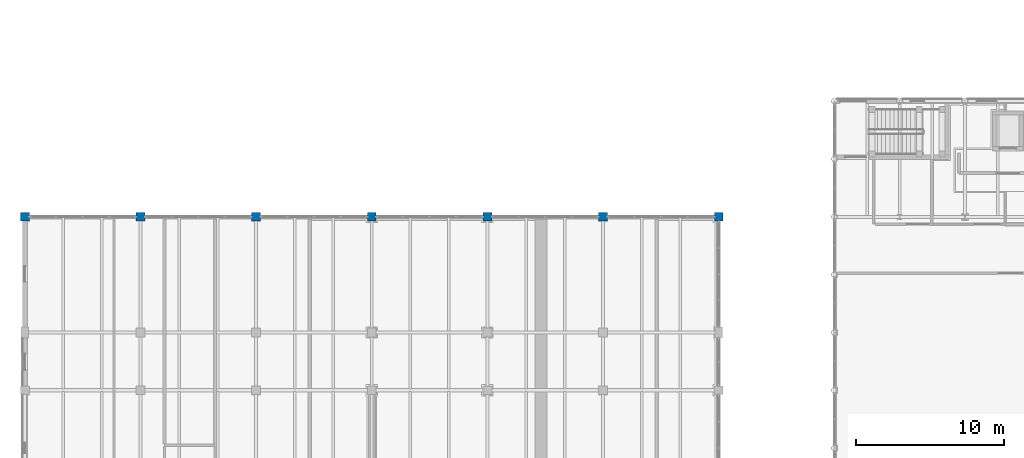
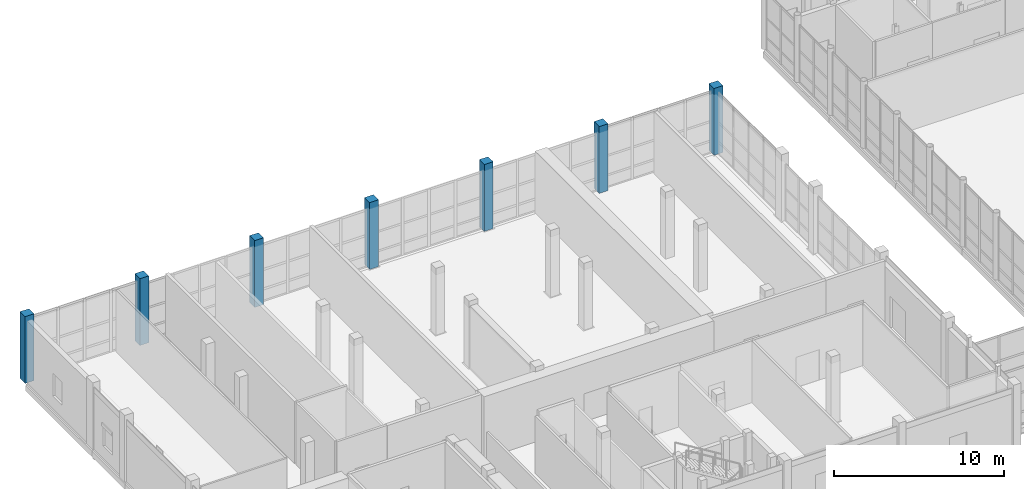
# One storey, part 11 of 131: 7 columns.
"""IFC4 building model written with IfcOpenShell, lengths in metres."""

from ifc_helpers import new_model, si_unit, direction, frame, origin, origin_2d, place, context, subcontext, project, spatial, rectangle, extrude, material, material_profile, profile_set, type_object, element, save


model = new_model("IFC4")

# Units and contexts
model_context = context("Model", 3, precision=1e-05, world=origin(), true_north=direction((0.0, 1.0)))
body_context = subcontext(model_context, "Body", "Model", "MODEL_VIEW")
ifc_project = project(units=[si_unit("LENGTHUNIT", "METRE"), si_unit("AREAUNIT", "SQUARE_METRE"), si_unit("VOLUMEUNIT", "CUBIC_METRE"), si_unit("PLANEANGLEUNIT", "RADIAN"), si_unit("MASSUNIT", "GRAM", prefix="KILO")], contexts=[model_context])

# Site, building, storey
site_placement = place(None, origin())
site = spatial("IfcSite", under=ifc_project, at=site_placement, CompositionType="ELEMENT")
building_placement = place(site_placement, origin())
building = spatial("IfcBuilding", under=site, at=building_placement, Name="Celorna Specialist Clinic", CompositionType="ELEMENT")
storey_placement = place(building_placement, origin())
storey = spatial("IfcBuildingStorey", under=building, at=storey_placement, Name="L00", CompositionType="ELEMENT", Elevation=0.0)

# Columns
ifc_material = material(Name="Concrete C40/50", Category="concrete")
ifc_material_profile = material_profile(ifc_material, rectangle(XDim=0.60009765625, YDim=0.60009765625, at=origin_2d()), Name="RC 600x600")
ifc_profile_set = profile_set([ifc_material_profile], Name="Concrete C40/50")
column_type = type_object("IfcColumnType", Name="CT-04", PredefinedType="COLUMN", material=ifc_profile_set)
for number, where, z_axis, x_axis, name in (
    (1, (0.0, 70.199951171875, 0.0), (0.0, 0.0, 1.0), (1.0, 0.0, 0.0), "Column CT-04 L00 X01/YN"),
    (2, (7.800048828125, 70.199951171875, 0.0), (0.0, 0.0, 1.0), (1.0, 0.0, 0.0), "Column CT-04 L00 X02/YN"),
    (3, (15.60009765625, 70.199951171875, 0.0), (0.0, 0.0, 1.0), (1.0, 0.0, 0.0), "Column CT-04 L00 X03/YN"),
    (4, (23.39990234375, 70.199951171875, 0.0), (0.0, 0.0, 1.0), (1.0, 0.0, 0.0), "Column CT-04 L00 X04/YN"),
    (5, (31.199951171875, 70.199951171875, 0.0), (0.0, 0.0, 1.0), (1.0, 0.0, 0.0), "Column CT-04 L00 X05/YN"),
    (6, (39.0, 70.199951171875, 0.0), (0.0, 0.0, 1.0), (1.0, 0.0, 0.0), "Column CT-04 L00 X06/YN"),
    (7, (46.800048828125, 70.199951171875, 0.0), (0.0, 0.0, 1.0), (1.0, 0.0, 0.0), "Column CT-04 L00 X07/YN"),
):
    element("IfcColumn", number, at=place(storey_placement, frame(where, z_axis=z_axis, x_axis=x_axis)), inside=storey, type_object=column_type, Name=name, PredefinedType="COLUMN", context=body_context, shape_type="SweptSolid", body=[
        extrude(rectangle(XDim=0.60009765625, YDim=0.60009765625, at=origin_2d()), origin(), (0.0, 0.0, 1.0), 4.800048828125),
    ])

save(model, "model.ifc")
